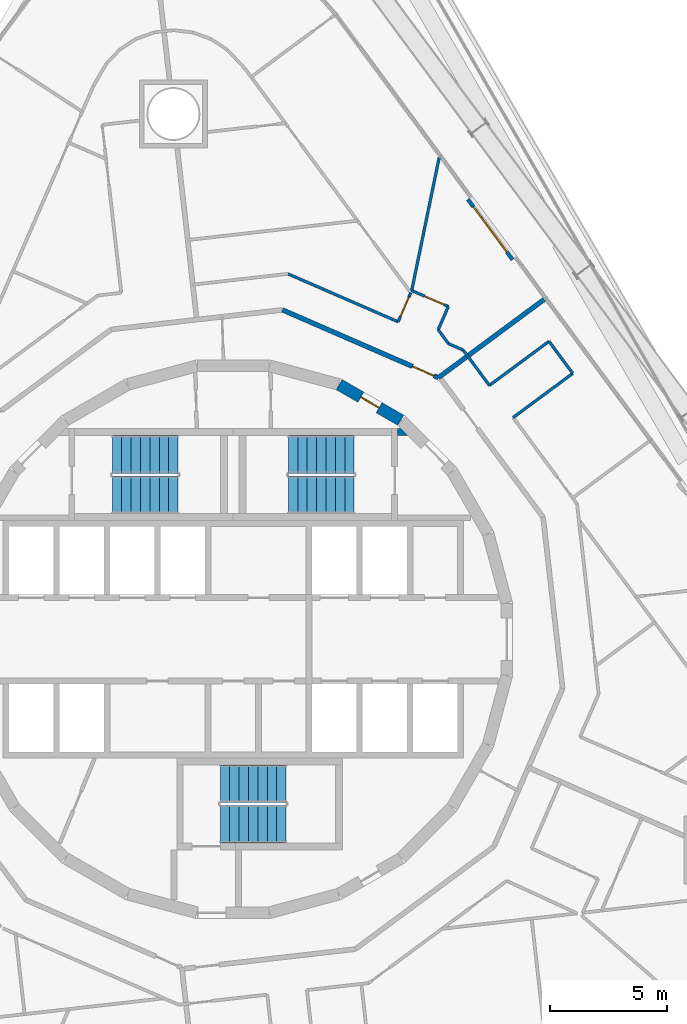
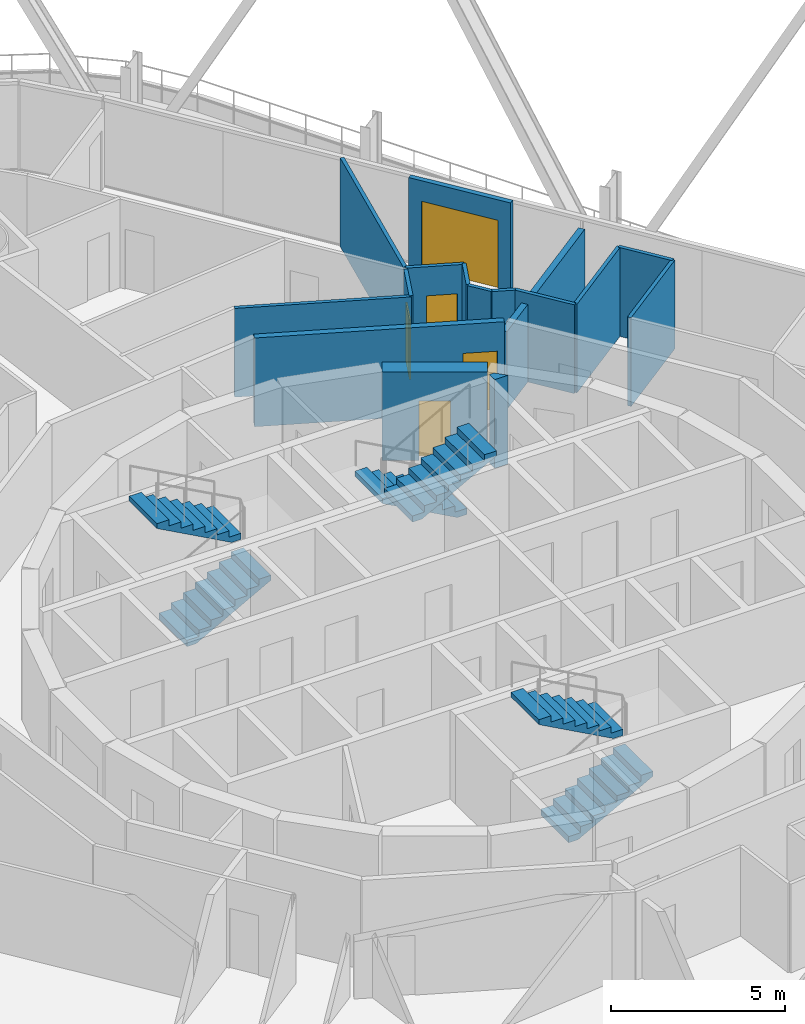
# One storey, part 22 of 32: 16 walls, 6 stair flights, 5 doors, 5 openings, 3 elements without a shape of their own.
"""IFC4 building model written with IfcOpenShell, lengths in metres."""

from ifc_helpers import new_model, si_unit, direction, frame, frame_2d, origin, place, context, subcontext, project, spatial, polyline, rectangle, outline, extrude, material, layer, layer_set, type_object, element, fill, aggregate, save


model = new_model("IFC4")

# Units and contexts
model_context = context("Model", 3, precision=1e-05, world=origin(), true_north=direction((0.0, 1.0)))
body_context = subcontext(model_context, "Body", "Model", "MODEL_VIEW")
ifc_project = project(units=[si_unit("LENGTHUNIT", "METRE"), si_unit("AREAUNIT", "SQUARE_METRE"), si_unit("VOLUMEUNIT", "CUBIC_METRE"), si_unit("PLANEANGLEUNIT", "RADIAN"), si_unit("MASSUNIT", "GRAM", prefix="KILO")], contexts=[model_context])

# Site, building, storey
site_placement = place(None, origin())
site = spatial("IfcSite", under=ifc_project, at=site_placement, CompositionType="ELEMENT")
building_placement = place(site_placement, origin())
building = spatial("IfcBuilding", under=site, at=building_placement, Name="Spindle Arch Residences", CompositionType="ELEMENT")
storey_placement = place(building_placement, frame((0.0, 0.0, 76.699951171875)))
storey = spatial("IfcBuildingStorey", under=building, at=storey_placement, Name="L17", CompositionType="ELEMENT", Elevation=76.699951171875)

# Wall, opening, door
ifc_material_1 = material(Name="Concrete C50/60", Category="concrete")
ifc_layer_1 = layer(ifc_material_1, 0.5)
ifc_layer_set_1 = layer_set([ifc_layer_1], Name="Core outline wall 500")
wall_type_1 = type_object("IfcWallType", Name="Core outline wall 500", PredefinedType="SHEAR", material=ifc_layer_set_1)
wall_1_placement = place(storey_placement, frame((7.13671875, 9.32861328125, 0.0), z_axis=(0.0, 0.0, 1.0), x_axis=(-0.865975092491, 0.500087131594, 0.0)))
wall_1 = element("IfcWall", 1, at=wall_1_placement, inside=storey, type_object=wall_type_1, Name="Core outline wall 10", PredefinedType="SHEAR", context=body_context, shape_type="SweptSolid", body=[
    extrude(rectangle(XDim=3.03271484375, YDim=0.5, at=frame_2d((1.516357421875, 0.0))), origin(), (0.0, 0.0, 1.0), 3.1201171875),
])
opening_1_placement = place(wall_1_placement, frame((1.06640625, 0.0, 0.0)))
opening_1 = element("IfcOpeningElement", 2, at=opening_1_placement, cuts=wall_1, Name="Opening R2A0-WD11", PredefinedType="OPENING", context=body_context, shape_type="SweptSolid", body=[
    extrude(rectangle(XDim=0.89990234375, YDim=2.10009765625, at=frame_2d((0.449951171875, 1.050048828125))), frame((0.0, 0.260009765625, 0.0), z_axis=(0.0, -1.0, 0.0), x_axis=(1.0, 0.0, 0.0)), (0.0, 0.0, 1.0), 0.52001953125),
])
ifc_material_2 = material(Name="Steel, fire-resisting door", Category="steel")
door_type_1 = type_object("IfcDoorType", Name="Service room door 900x2100", OperationType="SINGLE_SWING_LEFT", PredefinedType="DOOR", material=ifc_material_2)
door_1_placement = place(opening_1_placement, origin())
door_1 = element("IfcDoor", 3, at=door_1_placement, inside=storey, type_object=door_type_1, Name="Service room door R2A0-WD11", OperationType="SINGLE_SWING_RIGHT", OverallHeight=2.10009765625, OverallWidth=0.89990234375, PredefinedType="DOOR", context=body_context, shape_type="SweptSolid", body=[
    extrude(rectangle(XDim=0.89990234375, YDim=2.10009765625, at=frame_2d((0.449951171875, 1.050048828125))), frame((0.0, 0.02490234375, 0.0), z_axis=(0.0, -1.0, 0.0), x_axis=(1.0, 0.0, 0.0)), (0.0, 0.0, 1.0), 0.050048828125),
])
fill(opening_1, door_1)

ifc_material_3 = material(Name="Calcium silicate block, plastered")
ifc_layer_2 = layer(ifc_material_3, 0.199951171875)
ifc_layer_set_2 = layer_set([ifc_layer_2], Name="Corridor wall 200")
wall_type_2 = type_object("IfcWallType", Name="Corridor wall 200", PredefinedType="STANDARD", material=ifc_layer_set_2)
wall_2_placement = place(storey_placement, frame((8.735595703125, 11.140625, 0.0), z_axis=(0.0, 0.0, 1.0), x_axis=(-0.917051290697, 0.398769269416, 0.0)))
wall_2 = element("IfcWall", 4, at=wall_2_placement, inside=storey, type_object=wall_type_2, Name="Corridor wall R2A0-W007", PredefinedType="STANDARD", context=body_context, shape_type="SweptSolid", body=[
    extrude(rectangle(XDim=7.23974609375, YDim=0.199951171875, at=frame_2d((3.619873046875, 0.0))), origin(), (0.0, 0.0, 1.0), 3.1201171875),
])
opening_2_placement = place(wall_2_placement, frame((0.199951171875, 0.0, 0.0)))
opening_2 = element("IfcOpeningElement", 5, at=opening_2_placement, cuts=wall_2, Name="Opening R2A0-FD02", PredefinedType="OPENING", context=body_context, shape_type="SweptSolid", body=[
    extrude(rectangle(XDim=1.0, YDim=2.10009765625, at=frame_2d((0.5, 1.050048828125))), frame((0.0, 0.10986328125, 0.0), z_axis=(0.0, -1.0, 0.0), x_axis=(1.0, 0.0, 0.0)), (0.0, 0.0, 1.0), 0.219970703125),
])
ifc_material_4 = material(Name="Timber, fire-resisting door set", Category="wood")
door_type_2 = type_object("IfcDoorType", Name="Flat entrance door 1000x2100", OperationType="NOTDEFINED", PredefinedType="DOOR", material=ifc_material_4)
door_2_placement = place(opening_2_placement, origin())
door_2 = element("IfcDoor", 6, at=door_2_placement, inside=storey, type_object=door_type_2, Name="Flat entrance door R2A0-FD02", OperationType="SINGLE_SWING_RIGHT", OverallHeight=2.10009765625, OverallWidth=1.0, PredefinedType="DOOR", context=body_context, shape_type="SweptSolid", body=[
    extrude(rectangle(XDim=1.0, YDim=2.10009765625, at=frame_2d((0.5, 1.050048828125))), frame((0.0, 0.02490234375, 0.0), z_axis=(0.0, -1.0, 0.0), x_axis=(1.0, 0.0, 0.0)), (0.0, 0.0, 1.0), 0.050048828125),
])
fill(opening_2, door_2)

# Walls
ifc_material_5 = material(Name="Plasterboard on steel studs", Category="steel")
ifc_layer_3 = layer(ifc_material_5, 0.1201171875)
ifc_layer_set_3 = layer_set([ifc_layer_3], Name="Flat partition 120")
wall_type_3 = type_object("IfcWallType", Name="Flat partition 120", PredefinedType="PARTITIONING", material=ifc_layer_set_3)
wall_3_placement = place(storey_placement, frame((11.9208984375, 9.44384765625, 0.0), z_axis=(0.0, 0.0, 1.0), x_axis=(0.803843378098, 0.594841006898, 0.0)))
element("IfcWall", 7, at=wall_3_placement, inside=storey, type_object=wall_type_3, Name="Flat partition R2A0-W030", PredefinedType="PARTITIONING", context=body_context, shape_type="SweptSolid", body=[
    extrude(rectangle(XDim=3.157470703125, YDim=0.1201171875, at=frame_2d((1.57861328125, 0.0))), origin(), (0.0, 0.0, 1.0), 3.1201171875),
])
wall_4_placement = place(storey_placement, frame((14.458984375, 11.322021484375, 0.0), z_axis=(0.0, 0.0, 1.0), x_axis=(-0.594863421241, 0.803826791087, 0.0)))
element("IfcWall", 8, at=wall_4_placement, inside=storey, type_object=wall_type_3, Name="Flat partition R2A0-W031", PredefinedType="PARTITIONING", context=body_context, shape_type="SweptSolid", body=[
    extrude(rectangle(XDim=1.699951171875, YDim=0.1201171875, at=frame_2d((0.85009765625, 0.0))), origin(), (0.0, 0.0, 1.0), 3.1201171875),
])
wall_5_placement = place(storey_placement, frame((13.44775390625, 12.6884765625, 0.0), z_axis=(0.0, 0.0, 1.0), x_axis=(-0.803843378098, -0.594841006898, 0.0)))
element("IfcWall", 9, at=wall_5_placement, inside=storey, type_object=wall_type_3, Name="Flat partition R2A0-W032", PredefinedType="PARTITIONING", context=body_context, shape_type="SweptSolid", body=[
    extrude(rectangle(XDim=3.157470703125, YDim=0.1201171875, at=frame_2d((1.57861328125, 0.0))), origin(), (0.0, 0.0, 1.0), 3.1201171875),
])
wall_6_placement = place(storey_placement, frame((10.90966796875, 10.810302734375, 0.0), z_axis=(0.0, 0.0, 1.0), x_axis=(-0.59489693125, 0.803801991282, 0.0)))
element("IfcWall", 10, at=wall_6_placement, inside=storey, type_object=wall_type_3, Name="Flat partition R2A0-W033", PredefinedType="PARTITIONING", context=body_context, shape_type="SweptSolid", body=[
    extrude(rectangle(XDim=1.872314453125, YDim=0.1201171875, at=frame_2d((0.93603515625, 0.0))), origin(), (0.0, 0.0, 1.0), 3.1201171875),
])
wall_7_placement = place(storey_placement, frame((9.7958984375, 12.315185546875, 0.0), z_axis=(0.0, 0.0, 1.0), x_axis=(-0.916973672273, 0.398947721335, 0.0)))
element("IfcWall", 11, at=wall_7_placement, inside=storey, type_object=wall_type_3, Name="Flat partition R2A0-W047", PredefinedType="PARTITIONING", context=body_context, shape_type="SweptSolid", body=[
    extrude(rectangle(XDim=0.684814453125, YDim=0.1201171875, at=frame_2d((0.34228515625, 0.0))), origin(), (0.0, 0.0, 1.0), 3.1201171875),
])
wall_8_placement = place(storey_placement, frame((9.16796875, 12.58837890625, 0.0), z_axis=(0.0, 0.0, 1.0), x_axis=(-0.595069416139, 0.803674305908, 0.0)))
element("IfcWall", 12, at=wall_8_placement, inside=storey, type_object=wall_type_3, Name="Flat partition R2A0-W048", PredefinedType="PARTITIONING", context=body_context, shape_type="SweptSolid", body=[
    extrude(rectangle(XDim=0.738525390625, YDim=0.1201171875, at=frame_2d((0.369140625, 0.0))), origin(), (0.0, 0.0, 1.0), 3.1201171875),
])
wall_9_placement = place(storey_placement, frame((8.728515625, 13.181884765625, 0.0), z_axis=(0.0, 0.0, 1.0), x_axis=(0.398792168027, 0.917041333158, 0.0)))
element("IfcWall", 13, at=wall_9_placement, inside=storey, type_object=wall_type_3, Name="Flat partition R2A0-W049", PredefinedType="PARTITIONING", context=body_context, shape_type="SweptSolid", body=[
    extrude(rectangle(XDim=1.0810546875, YDim=0.1201171875, at=frame_2d((0.54052734375, 0.0))), origin(), (0.0, 0.0, 1.0), 3.1201171875),
])

# Wall, opening, door
wall_10_placement = place(storey_placement, frame((9.15966796875, 14.17333984375, 0.0), z_axis=(0.0, 0.0, 1.0), x_axis=(-0.917044941137, 0.398783871208, 0.0)))
wall_10 = element("IfcWall", 14, at=wall_10_placement, inside=storey, type_object=wall_type_3, Name="Flat partition R2A0-W050", PredefinedType="PARTITIONING", context=body_context, shape_type="SweptSolid", body=[
    extrude(rectangle(XDim=1.7001953125, YDim=0.1201171875, at=frame_2d((0.85009765625, 0.0))), origin(), (0.0, 0.0, 1.0), 3.1201171875),
])
opening_3_placement = place(wall_10_placement, frame((0.199951171875, 0.0, 0.0)))
opening_3 = element("IfcOpeningElement", 15, at=opening_3_placement, cuts=wall_10, Name="Opening R2A0-ID06", PredefinedType="OPENING", context=body_context, shape_type="SweptSolid", body=[
    extrude(rectangle(XDim=0.89990234375, YDim=2.10009765625, at=frame_2d((0.449951171875, 1.050048828125))), frame((0.0, 0.070068359375, 0.0), z_axis=(0.0, -1.0, 0.0), x_axis=(1.0, 0.0, 0.0)), (0.0, 0.0, 1.0), 0.14013671875),
])
ifc_material_6 = material(Name="Timber door set", Category="wood")
door_type_3 = type_object("IfcDoorType", Name="Room door 900x2100", OperationType="NOTDEFINED", PredefinedType="DOOR", material=ifc_material_6)
door_3_placement = place(opening_3_placement, origin())
door_3 = element("IfcDoor", 16, at=door_3_placement, inside=storey, type_object=door_type_3, Name="Room door R2A0-ID06", OperationType="SINGLE_SWING_RIGHT", OverallHeight=2.10009765625, OverallWidth=0.89990234375, PredefinedType="DOOR", context=body_context, shape_type="SweptSolid", body=[
    extrude(rectangle(XDim=0.89990234375, YDim=2.10009765625, at=frame_2d((0.449951171875, 1.050048828125))), frame((0.0, 0.02490234375, 0.0), z_axis=(0.0, -1.0, 0.0), x_axis=(1.0, 0.0, 0.0)), (0.0, 0.0, 1.0), 0.050048828125),
])
fill(opening_3, door_3)

wall_11_placement = place(storey_placement, frame((7.56103515625, 14.760009765625, 0.0), z_axis=(0.0, 0.0, 1.0), x_axis=(-0.398712893488, -0.917075803064, 0.0)))
wall_11 = element("IfcWall", 17, at=wall_11_placement, inside=storey, type_object=wall_type_3, Name="Flat partition R2A0-W051", PredefinedType="PARTITIONING", context=body_context, shape_type="SweptSolid", body=[
    extrude(rectangle(XDim=1.350830078125, YDim=0.1201171875, at=frame_2d((0.67529296875, 0.0))), origin(), (0.0, 0.0, 1.0), 3.1201171875),
])
opening_4_placement = place(wall_11_placement, frame((0.199951171875, 0.0, 0.0)))
opening_4 = element("IfcOpeningElement", 18, at=opening_4_placement, cuts=wall_11, Name="Opening R2A0-ID07", PredefinedType="OPENING", context=body_context, shape_type="SweptSolid", body=[
    extrude(rectangle(XDim=0.89990234375, YDim=2.10009765625, at=frame_2d((0.449951171875, 1.050048828125))), frame((0.0, 0.070068359375, 0.0), z_axis=(0.0, -1.0, 0.0), x_axis=(1.0, 0.0, 0.0)), (0.0, 0.0, 1.0), 0.14013671875),
])
door_4_placement = place(opening_4_placement, origin())
door_4 = element("IfcDoor", 19, at=door_4_placement, inside=storey, type_object=door_type_3, Name="Room door R2A0-ID07", OperationType="SINGLE_SWING_LEFT", OverallHeight=2.10009765625, OverallWidth=0.89990234375, PredefinedType="DOOR", context=body_context, shape_type="SweptSolid", body=[
    extrude(rectangle(XDim=0.89990234375, YDim=2.10009765625, at=frame_2d((0.449951171875, 1.050048828125))), frame((0.0, 0.02490234375, 0.0), z_axis=(0.0, -1.0, 0.0), x_axis=(1.0, 0.0, 0.0)), (0.0, 0.0, 1.0), 0.050048828125),
])
fill(opening_4, door_4)

# Walls
wall_12_placement = place(storey_placement, frame((7.0224609375, 13.521240234375, 0.0), z_axis=(0.0, 0.0, 1.0), x_axis=(-0.91706854044, 0.398729597767, 0.0)))
element("IfcWall", 20, at=wall_12_placement, inside=storey, type_object=wall_type_3, Name="Flat partition R2A0-W052", PredefinedType="PARTITIONING", context=body_context, shape_type="SweptSolid", body=[
    extrude(rectangle(XDim=5.121337890625, YDim=0.1201171875, at=frame_2d((2.560546875, 0.0))), origin(), (0.0, 0.0, 1.0), 3.1201171875),
])
wall_13_placement = place(storey_placement, frame((8.771728515625, 20.52099609375, 0.0), z_axis=(0.0, 0.0, 1.0), x_axis=(-0.202291839423, -0.979325283909, 0.0)))
element("IfcWall", 21, at=wall_13_placement, inside=storey, type_object=wall_type_3, Name="Flat partition R2A0-W054", PredefinedType="PARTITIONING", context=body_context, shape_type="SweptSolid", body=[
    extrude(rectangle(XDim=5.789306640625, YDim=0.1201171875, at=frame_2d((2.89453125, 0.0))), origin(), (0.0, 0.0, 1.0), 3.1201171875),
])
ifc_material_7 = material(Name="Calcium silicate block, plastered")
ifc_layer_4 = layer(ifc_material_7, 0.199951171875)
ifc_layer_set_4 = layer_set([ifc_layer_4], Name="Flat party wall 200 under beam 2730")
wall_type_4 = type_object("IfcWallType", Name="Flat party wall 200 under beam 2730", PredefinedType="STANDARD", material=ifc_layer_set_4)
wall_14_placement = place(storey_placement, frame((13.244140625, 14.476806640625, 0.0), z_axis=(0.0, 0.0, 1.0), x_axis=(-0.803853971109, -0.594826691677, 0.0)))
element("IfcWall", 22, at=wall_14_placement, inside=storey, type_object=wall_type_4, Name="Flat party wall R2A0-W016", PredefinedType="STANDARD", context=body_context, shape_type="SweptSolid", body=[
    extrude(rectangle(XDim=5.608642578125, YDim=0.199951171875, at=frame_2d((2.80419921875, 0.0))), origin(), (0.0, 0.0, 1.0), 2.72998046875),
])

# Wall, opening, door
ifc_material_8 = material(Name="Non-combustible mineral wool insulated aluminium faced external wall (K0)", Category="aluminium")
ifc_layer_5 = layer(ifc_material_8, 0.159912109375)
ifc_layer_set_5 = layer_set([ifc_layer_5], Name="Insulated external wall panel 160")
wall_type_5 = type_object("IfcWallType", Name="Insulated external wall panel 160", PredefinedType="STANDARD", material=ifc_layer_set_5)
wall_15_placement = place(storey_placement, frame((11.895263671875, 16.1650390625, 0.0), z_axis=(0.0, 0.0, 1.0), x_axis=(-0.594774973163, 0.803892238611, 0.0)))
wall_15 = element("IfcWall", 23, at=wall_15_placement, inside=storey, type_object=wall_type_5, Name="External wall L17 bay 9", PredefinedType="STANDARD", context=body_context, shape_type="SweptSolid", body=[
    extrude(rectangle(XDim=3.199951171875, YDim=0.159912109375, at=frame_2d((1.60009765625, 0.0))), origin(), (0.0, 0.0, 1.0), 3.1201171875),
])
opening_5_placement = place(wall_15_placement, frame((0.39990234375, 0.0, 0.0)))
opening_5 = element("IfcOpeningElement", 24, at=opening_5_placement, cuts=wall_15, Name="Opening BD09", PredefinedType="OPENING", context=body_context, shape_type="SweptSolid", body=[
    extrude(rectangle(XDim=2.39990234375, YDim=2.39990234375, at=frame_2d((1.199951171875, 1.199951171875))), frame((0.0, 0.08984375, 0.0), z_axis=(0.0, -1.0, 0.0), x_axis=(1.0, 0.0, 0.0)), (0.0, 0.0, 1.0), 0.179931640625),
])
ifc_material_9 = material(Name="Bronze aluminium frame, tinted double glazing", Category="aluminium")
door_type_4 = type_object("IfcDoorType", Name="Sliding glazed balcony door 2400x2400", OperationType="DOUBLE_DOOR_SLIDING", PredefinedType="DOOR", material=ifc_material_9)
door_5_placement = place(opening_5_placement, origin())
door_5 = element("IfcDoor", 25, at=door_5_placement, inside=storey, type_object=door_type_4, Name="Balcony door BD09", OperationType="DOUBLE_DOOR_SLIDING", OverallHeight=2.39990234375, OverallWidth=2.39990234375, PredefinedType="DOOR", context=body_context, shape_type="SweptSolid", body=[
    extrude(rectangle(XDim=2.39990234375, YDim=2.39990234375, at=frame_2d((1.199951171875, 1.199951171875))), frame((0.0, 0.02490234375, 0.0), z_axis=(0.0, -1.0, 0.0), x_axis=(1.0, 0.0, 0.0)), (0.0, 0.0, 1.0), 0.050048828125),
])
fill(opening_5, door_5)

# Wall
ifc_material_10 = material(Name="Concrete C40/50", Category="concrete")
wall_type_6 = type_object("IfcWallType", Name="Stair airlock wall profile", PredefinedType="SHEAR", material=ifc_material_10)
wall_16_placement = place(storey_placement, origin())
element("IfcWall", 26, at=wall_16_placement, inside=storey, type_object=wall_type_6, Name="Stair ST-1 airlock wall N", PredefinedType="SHEAR", context=body_context, shape_type="SweptSolid", body=[
    extrude(outline(polyline([(7.4482421875, 8.669921875), (7.0, 8.669921875), (7.0, 8.969970703125), (7.148193359375, 8.969970703125), (7.4482421875, 8.669921875)])), origin(), (0.0, 0.0, 1.0), 3.1201171875),
])

# Stair, stair flights
ifc_material_11 = material(Name="Concrete C50/60", Category="concrete")
stair_type = type_object("IfcStairType", Name="Exit stair 16 risers", PredefinedType="HALF_TURN_STAIR", material=ifc_material_11)
stair_1_placement = place(storey_placement, origin())
stair_1 = element("IfcStair", 27, at=stair_1_placement, inside=storey, type_object=stair_type, Name="L17 Exit stair ST1", PredefinedType="HALF_TURN_STAIR")
ifc_material_12 = material(Name="Concrete C50/60", Category="concrete")
stair_flight_type = type_object("IfcStairFlightType", Name="Exit stair flight", PredefinedType="STRAIGHT", material=ifc_material_12)
stair_flight_1_placement = place(storey_placement, frame((5.14990234375, 7.8701171875, 0.0), z_axis=(0.0, 0.0, 1.0), x_axis=(-1.0, 0.0, 0.0)))
stair_flight_1 = element("IfcStairFlight", 28, at=stair_flight_1_placement, type_object=stair_flight_type, Name="ST1 flight 1", NumberOfRisers=8, NumberOfTreads=7, PredefinedType="STRAIGHT", RiserHeight=0.21875, TreadLength=0.4, context=body_context, shape_type="SweptSolid", body=[
    extrude(outline(polyline([(0.0, 0.0), (0.0, 0.21875), (0.39990234375, 0.21875), (0.39990234375, 0.4375), (0.800048828125, 0.4375), (0.800048828125, 0.65625), (1.199951171875, 0.65625), (1.199951171875, 0.875), (1.60009765625, 0.875), (1.60009765625, 1.09375), (2.0, 1.09375), (2.0, 1.3125), (2.39990234375, 1.3125), (2.39990234375, 1.53125), (2.800048828125, 1.53125), (2.800048828125, 1.75), (2.800048828125, 1.3603515625), (0.3125, 0.0), (0.0, 0.0)])), frame((0.0, 0.800048828125, 0.0), z_axis=(0.0, -1.0, 0.0), x_axis=(1.0, 0.0, 0.0)), (0.0, 0.0, 1.0), 1.60009765625),
])
stair_flight_2_placement = place(storey_placement, frame((2.35009765625, 6.14990234375, 1.75), z_axis=(0.0, 0.0, 1.0), x_axis=(1.0, 0.0, 0.0)))
stair_flight_2 = element("IfcStairFlight", 29, at=stair_flight_2_placement, type_object=stair_flight_type, Name="ST1 flight 2", NumberOfRisers=8, NumberOfTreads=7, PredefinedType="STRAIGHT", RiserHeight=0.21875, TreadLength=0.4, context=body_context, shape_type="SweptSolid", body=[
    extrude(outline(polyline([(0.0, 0.0), (0.0, 0.21875), (0.39990234375, 0.21875), (0.39990234375, 0.4375), (0.800048828125, 0.4375), (0.800048828125, 0.65625), (1.199951171875, 0.65625), (1.199951171875, 0.875), (1.60009765625, 0.875), (1.60009765625, 1.09375), (2.0, 1.09375), (2.0, 1.3125), (2.39990234375, 1.3125), (2.39990234375, 1.53125), (2.800048828125, 1.53125), (2.800048828125, 1.75), (2.800048828125, 1.3603515625), (0.3125, 0.0), (0.0, 0.0)])), frame((0.0, 0.800048828125, 0.0), z_axis=(0.0, -1.0, 0.0), x_axis=(1.0, 0.0, 0.0)), (0.0, 0.0, 1.0), 1.60009765625),
])
aggregate(stair_1, [stair_flight_1, stair_flight_2])

stair_2_placement = place(storey_placement, origin())
stair_2 = element("IfcStair", 30, at=stair_2_placement, inside=storey, type_object=stair_type, Name="L17 Exit stair ST2", PredefinedType="HALF_TURN_STAIR")
stair_flight_3_placement = place(storey_placement, frame((-5.14990234375, 6.14990234375, 0.0), z_axis=(0.0, 0.0, 1.0), x_axis=(1.0, 0.0, 0.0)))
stair_flight_3 = element("IfcStairFlight", 31, at=stair_flight_3_placement, type_object=stair_flight_type, Name="ST2 flight 1", NumberOfRisers=8, NumberOfTreads=7, PredefinedType="STRAIGHT", RiserHeight=0.21875, TreadLength=0.4, context=body_context, shape_type="SweptSolid", body=[
    extrude(outline(polyline([(0.0, 0.0), (0.0, 0.21875), (0.39990234375, 0.21875), (0.39990234375, 0.4375), (0.800048828125, 0.4375), (0.800048828125, 0.65625), (1.199951171875, 0.65625), (1.199951171875, 0.875), (1.60009765625, 0.875), (1.60009765625, 1.09375), (2.0, 1.09375), (2.0, 1.3125), (2.39990234375, 1.3125), (2.39990234375, 1.53125), (2.800048828125, 1.53125), (2.800048828125, 1.75), (2.800048828125, 1.3603515625), (0.3125, 0.0), (0.0, 0.0)])), frame((0.0, 0.800048828125, 0.0), z_axis=(0.0, -1.0, 0.0), x_axis=(1.0, 0.0, 0.0)), (0.0, 0.0, 1.0), 1.60009765625),
])
stair_flight_4_placement = place(storey_placement, frame((-2.35009765625, 7.8701171875, 1.75), z_axis=(0.0, 0.0, 1.0), x_axis=(-1.0, 0.0, 0.0)))
stair_flight_4 = element("IfcStairFlight", 32, at=stair_flight_4_placement, type_object=stair_flight_type, Name="ST2 flight 2", NumberOfRisers=8, NumberOfTreads=7, PredefinedType="STRAIGHT", RiserHeight=0.21875, TreadLength=0.4, context=body_context, shape_type="SweptSolid", body=[
    extrude(outline(polyline([(0.0, 0.0), (0.0, 0.21875), (0.39990234375, 0.21875), (0.39990234375, 0.4375), (0.800048828125, 0.4375), (0.800048828125, 0.65625), (1.199951171875, 0.65625), (1.199951171875, 0.875), (1.60009765625, 0.875), (1.60009765625, 1.09375), (2.0, 1.09375), (2.0, 1.3125), (2.39990234375, 1.3125), (2.39990234375, 1.53125), (2.800048828125, 1.53125), (2.800048828125, 1.75), (2.800048828125, 1.3603515625), (0.3125, 0.0), (0.0, 0.0)])), frame((0.0, 0.800048828125, 0.0), z_axis=(0.0, -1.0, 0.0), x_axis=(1.0, 0.0, 0.0)), (0.0, 0.0, 1.0), 1.60009765625),
])
aggregate(stair_2, [stair_flight_3, stair_flight_4])

stair_3_placement = place(storey_placement, origin())
stair_3 = element("IfcStair", 33, at=stair_3_placement, inside=storey, type_object=stair_type, Name="L17 Exit stair ST3", PredefinedType="HALF_TURN_STAIR")
stair_flight_5_placement = place(storey_placement, frame((-0.550048828125, -7.8701171875, 0.0), z_axis=(0.0, 0.0, 1.0), x_axis=(1.0, 0.0, 0.0)))
stair_flight_5 = element("IfcStairFlight", 34, at=stair_flight_5_placement, type_object=stair_flight_type, Name="ST3 flight 1", NumberOfRisers=8, NumberOfTreads=7, PredefinedType="STRAIGHT", RiserHeight=0.21875, TreadLength=0.4, context=body_context, shape_type="SweptSolid", body=[
    extrude(outline(polyline([(0.0, 0.0), (0.0, 0.21875), (0.39990234375, 0.21875), (0.39990234375, 0.4375), (0.800048828125, 0.4375), (0.800048828125, 0.65625), (1.199951171875, 0.65625), (1.199951171875, 0.875), (1.60009765625, 0.875), (1.60009765625, 1.09375), (2.0, 1.09375), (2.0, 1.3125), (2.39990234375, 1.3125), (2.39990234375, 1.53125), (2.800048828125, 1.53125), (2.800048828125, 1.75), (2.800048828125, 1.3603515625), (0.3125, 0.0), (0.0, 0.0)])), frame((0.0, 0.800048828125, 0.0), z_axis=(0.0, -1.0, 0.0), x_axis=(1.0, 0.0, 0.0)), (0.0, 0.0, 1.0), 1.60009765625),
])
stair_flight_6_placement = place(storey_placement, frame((2.25, -6.14990234375, 1.75), z_axis=(0.0, 0.0, 1.0), x_axis=(-1.0, 0.0, 0.0)))
stair_flight_6 = element("IfcStairFlight", 35, at=stair_flight_6_placement, type_object=stair_flight_type, Name="ST3 flight 2", NumberOfRisers=8, NumberOfTreads=7, PredefinedType="STRAIGHT", RiserHeight=0.21875, TreadLength=0.4, context=body_context, shape_type="SweptSolid", body=[
    extrude(outline(polyline([(0.0, 0.0), (0.0, 0.21875), (0.39990234375, 0.21875), (0.39990234375, 0.4375), (0.800048828125, 0.4375), (0.800048828125, 0.65625), (1.199951171875, 0.65625), (1.199951171875, 0.875), (1.60009765625, 0.875), (1.60009765625, 1.09375), (2.0, 1.09375), (2.0, 1.3125), (2.39990234375, 1.3125), (2.39990234375, 1.53125), (2.800048828125, 1.53125), (2.800048828125, 1.75), (2.800048828125, 1.3603515625), (0.3125, 0.0), (0.0, 0.0)])), frame((0.0, 0.800048828125, 0.0), z_axis=(0.0, -1.0, 0.0), x_axis=(1.0, 0.0, 0.0)), (0.0, 0.0, 1.0), 1.60009765625),
])
aggregate(stair_3, [stair_flight_5, stair_flight_6])

save(model, "model.ifc")
